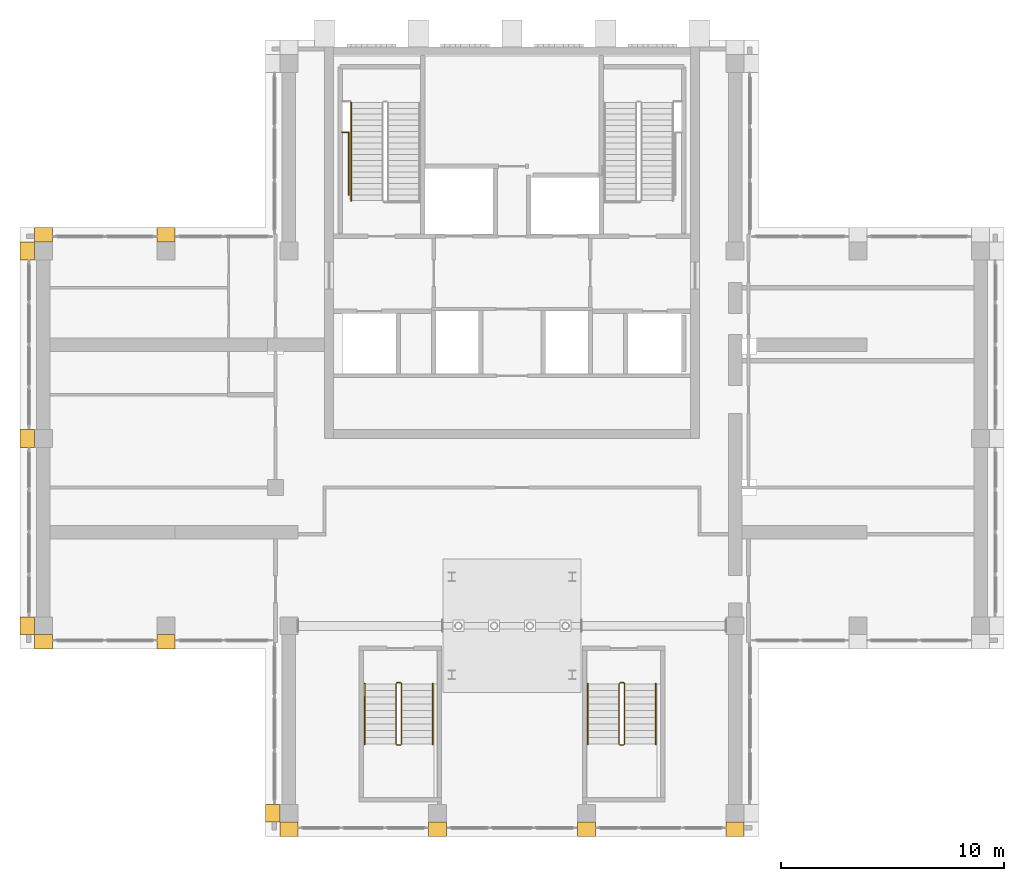
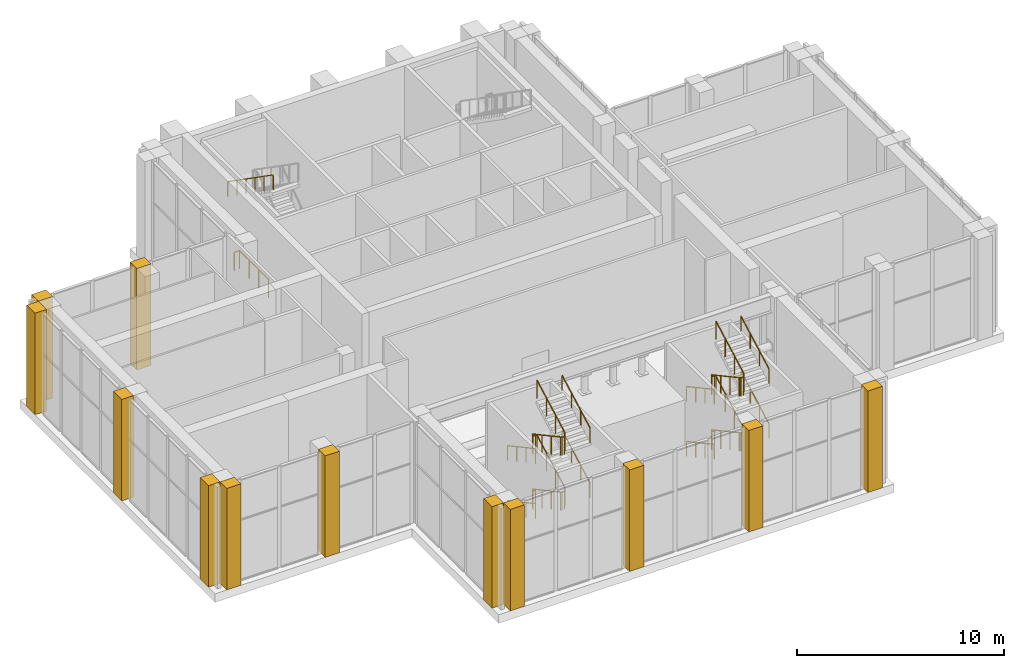
# One storey, part 12 of 14: 12 coverings, 12 railings.
"""IFC4 building model written with IfcOpenShell, lengths in metres."""

from ifc_helpers import new_model, si_unit, direction, frame, origin, origin_2d, place, context, subcontext, project, spatial, polyline, rectangle, outline, extrude, material, type_object, element, save


model = new_model("IFC4")

# Units and contexts
model_context = context("Model", 3, precision=1e-05, world=origin(), true_north=direction((0.0, 1.0)))
body_context = subcontext(model_context, "Body", "Model", "MODEL_VIEW")
ifc_project = project(units=[si_unit("LENGTHUNIT", "METRE"), si_unit("AREAUNIT", "SQUARE_METRE"), si_unit("VOLUMEUNIT", "CUBIC_METRE"), si_unit("PLANEANGLEUNIT", "RADIAN"), si_unit("MASSUNIT", "GRAM", prefix="KILO")], contexts=[model_context])

# Site, building, storey
site_placement = place(None, origin())
site = spatial("IfcSite", under=ifc_project, at=site_placement, CompositionType="ELEMENT")
building_placement = place(site_placement, origin())
building = spatial("IfcBuilding", under=site, at=building_placement, Name="Vermilion Ogive Tower", CompositionType="ELEMENT")
storey_placement = place(building_placement, frame((0.0, 0.0, 278.35009765625)))
storey = spatial("IfcBuildingStorey", under=building, at=storey_placement, Name="L73", CompositionType="ELEMENT", Elevation=278.35009765625)

# Railings
ifc_material_1 = material(Name="Steel S355 painted", Category="steel")
railing_type_1 = type_object("IfcRailingType", Name="Stair guard 1100", PredefinedType="GUARDRAIL", material=ifc_material_1)
railing_1_placement = place(storey_placement, frame((5.0, -6.75, 0.0)))
element("IfcRailing", 1, at=railing_1_placement, inside=storey, type_object=railing_type_1, Name="L73 ST6 stair guard 8", PredefinedType="GUARDRAIL", context=body_context, shape_type="SweptSolid", body=[
    extrude(rectangle(XDim=0.048095703125, YDim=0.048095703125, at=origin_2d()), frame((0.0, 0.0, 1.076171875), z_axis=(-1.0, 0.0, 0.0), x_axis=(0.0, -1.0, 0.0)), (0.0, 0.0, 1.0), 0.14990234375),
    extrude(rectangle(XDim=0.048095703125, YDim=0.048095703125, at=origin_2d()), frame((-0.14990234375, 0.0, 1.076171875), z_axis=(-0.282583949758, -0.282583949758, 0.916674763849), x_axis=(0.707106781187, -0.707106781187, 0.0)), (0.0, 0.0, 1.0), 0.177001953125),
    extrude(rectangle(XDim=0.048095703125, YDim=0.048095703125, at=origin_2d()), frame((-0.199951171875, -0.050048828125, 1.23828125), z_axis=(0.0, -0.879268380148, 0.476326690069), x_axis=(1.0, 0.0, 0.0)), (0.0, 0.0, 1.0), 3.07080078125),
    extrude(rectangle(XDim=0.048095703125, YDim=0.048095703125, at=origin_2d()), frame((-0.199951171875, -2.75, 2.701171875), z_axis=(0.707106781187, -0.707106781187, 0.0), x_axis=(0.707106781187, 0.707106781187, 0.0)), (0.0, 0.0, 1.0), 0.07080078125),
    extrude(rectangle(XDim=0.048095703125, YDim=0.048095703125, at=origin_2d()), frame((-0.14990234375, -2.800048828125, 2.701171875), z_axis=(1.0, 0.0, 0.0), x_axis=(0.0, 1.0, 0.0)), (0.0, 0.0, 1.0), 0.14990234375),
    extrude(rectangle(XDim=0.048095703125, YDim=0.048095703125, at=origin_2d()), frame((0.0, -2.800048828125, 2.701171875), z_axis=(0.282583949758, 0.282583949758, 0.916674763849), x_axis=(-0.707106781187, 0.707106781187, 0.0)), (0.0, 0.0, 1.0), 0.177001953125),
    extrude(rectangle(XDim=0.048095703125, YDim=0.048095703125, at=origin_2d()), frame((0.050048828125, -2.75, 2.86328125), z_axis=(0.0, 0.879268380148, 0.476326690069), x_axis=(-1.0, 0.0, 0.0)), (0.0, 0.0, 1.0), 3.07080078125),
    extrude(rectangle(XDim=0.048095703125, YDim=0.048095703125, at=origin_2d()), frame((0.050048828125, -0.050048828125, 4.326171875), z_axis=(-0.707106781187, 0.707106781187, 0.0), x_axis=(-0.707106781187, -0.707106781187, 0.0)), (0.0, 0.0, 1.0), 0.07080078125),
    extrude(rectangle(XDim=0.048095703125, YDim=0.048095703125, at=origin_2d()), frame((0.0, 0.0, 4.326171875), z_axis=(-1.0, 0.0, 0.0), x_axis=(0.0, -1.0, 0.0)), (0.0, 0.0, 1.0), 0.14990234375),
    extrude(rectangle(XDim=0.048095703125, YDim=0.048095703125, at=origin_2d()), frame((-0.14990234375, 0.0, 4.326171875), z_axis=(-0.282583949758, -0.282583949758, 0.916674763849), x_axis=(0.707106781187, -0.707106781187, 0.0)), (0.0, 0.0, 1.0), 0.177001953125),
    extrude(rectangle(XDim=0.048095703125, YDim=0.048095703125, at=origin_2d()), frame((-0.199951171875, -0.050048828125, 4.48828125), z_axis=(0.0, -0.879268380148, 0.476326690069), x_axis=(1.0, 0.0, 0.0)), (0.0, 0.0, 1.0), 3.07080078125),
    extrude(rectangle(XDim=0.048095703125, YDim=0.048095703125, at=origin_2d()), frame((-0.199951171875, -2.75, 5.951171875), z_axis=(0.707106781187, -0.707106781187, 0.0), x_axis=(0.707106781187, 0.707106781187, 0.0)), (0.0, 0.0, 1.0), 0.07080078125),
    extrude(rectangle(XDim=0.048095703125, YDim=0.048095703125, at=origin_2d()), frame((-0.14990234375, -2.800048828125, 5.951171875), z_axis=(1.0, 0.0, 0.0), x_axis=(0.0, 1.0, 0.0)), (0.0, 0.0, 1.0), 0.14990234375),
    extrude(rectangle(XDim=0.048095703125, YDim=0.048095703125, at=origin_2d()), frame((0.0, -2.800048828125, 5.951171875), z_axis=(0.282583949758, 0.282583949758, 0.916674763849), x_axis=(-0.707106781187, 0.707106781187, 0.0)), (0.0, 0.0, 1.0), 0.177001953125),
    extrude(rectangle(XDim=0.048095703125, YDim=0.048095703125, at=origin_2d()), frame((0.050048828125, -2.75, 6.11328125), z_axis=(0.0, 0.879268380148, 0.476326690069), x_axis=(-1.0, 0.0, 0.0)), (0.0, 0.0, 1.0), 3.07080078125),
    extrude(rectangle(XDim=0.0419921875, YDim=0.0419921875, at=origin_2d()), origin(), (0.0, 0.0, 1.0), 1.052001953125),
    extrude(rectangle(XDim=0.0419921875, YDim=0.0419921875, at=origin_2d()), frame((-0.14990234375, 0.0, 0.0)), (0.0, 0.0, 1.0), 1.052001953125),
    extrude(rectangle(XDim=0.0419921875, YDim=0.0419921875, at=origin_2d()), frame((-0.199951171875, -0.050048828125, 0.162353515625)), (0.0, 0.0, 1.0), 1.052001953125),
    extrude(rectangle(XDim=0.0419921875, YDim=0.0419921875, at=origin_2d()), frame((-0.199951171875, -0.949951171875, 0.64990234375)), (0.0, 0.0, 1.0), 1.052001953125),
    extrude(rectangle(XDim=0.0419921875, YDim=0.0419921875, at=origin_2d()), frame((-0.199951171875, -1.85009765625, 1.137451171875)), (0.0, 0.0, 1.0), 1.052001953125),
    extrude(rectangle(XDim=0.0419921875, YDim=0.0419921875, at=origin_2d()), frame((-0.199951171875, -2.75, 1.625)), (0.0, 0.0, 1.0), 1.052001953125),
    extrude(rectangle(XDim=0.0419921875, YDim=0.0419921875, at=origin_2d()), frame((-0.14990234375, -2.800048828125, 1.625)), (0.0, 0.0, 1.0), 1.052001953125),
    extrude(rectangle(XDim=0.0419921875, YDim=0.0419921875, at=origin_2d()), frame((0.0, -2.800048828125, 1.625)), (0.0, 0.0, 1.0), 1.052001953125),
    extrude(rectangle(XDim=0.0419921875, YDim=0.0419921875, at=origin_2d()), frame((0.050048828125, -2.75, 1.787353515625)), (0.0, 0.0, 1.0), 1.052001953125),
    extrude(rectangle(XDim=0.0419921875, YDim=0.0419921875, at=origin_2d()), frame((0.050048828125, -1.85009765625, 2.27490234375)), (0.0, 0.0, 1.0), 1.052001953125),
    extrude(rectangle(XDim=0.0419921875, YDim=0.0419921875, at=origin_2d()), frame((0.050048828125, -0.949951171875, 2.762451171875)), (0.0, 0.0, 1.0), 1.052001953125),
    extrude(rectangle(XDim=0.0419921875, YDim=0.0419921875, at=origin_2d()), frame((0.050048828125, -0.050048828125, 3.25)), (0.0, 0.0, 1.0), 1.052001953125),
    extrude(rectangle(XDim=0.0419921875, YDim=0.0419921875, at=origin_2d()), frame((0.0, 0.0, 3.25)), (0.0, 0.0, 1.0), 1.052001953125),
    extrude(rectangle(XDim=0.0419921875, YDim=0.0419921875, at=origin_2d()), frame((-0.14990234375, 0.0, 3.25)), (0.0, 0.0, 1.0), 1.052001953125),
    extrude(rectangle(XDim=0.0419921875, YDim=0.0419921875, at=origin_2d()), frame((-0.199951171875, -0.050048828125, 3.412353515625)), (0.0, 0.0, 1.0), 1.052001953125),
    extrude(rectangle(XDim=0.0419921875, YDim=0.0419921875, at=origin_2d()), frame((-0.199951171875, -0.949951171875, 3.89990234375)), (0.0, 0.0, 1.0), 1.052001953125),
    extrude(rectangle(XDim=0.0419921875, YDim=0.0419921875, at=origin_2d()), frame((-0.199951171875, -1.85009765625, 4.387451171875)), (0.0, 0.0, 1.0), 1.052001953125),
    extrude(rectangle(XDim=0.0419921875, YDim=0.0419921875, at=origin_2d()), frame((-0.199951171875, -2.75, 4.875)), (0.0, 0.0, 1.0), 1.052001953125),
    extrude(rectangle(XDim=0.0419921875, YDim=0.0419921875, at=origin_2d()), frame((-0.14990234375, -2.800048828125, 4.875)), (0.0, 0.0, 1.0), 1.052001953125),
    extrude(rectangle(XDim=0.0419921875, YDim=0.0419921875, at=origin_2d()), frame((0.0, -2.800048828125, 4.875)), (0.0, 0.0, 1.0), 1.052001953125),
    extrude(rectangle(XDim=0.0419921875, YDim=0.0419921875, at=origin_2d()), frame((0.050048828125, -2.75, 5.037353515625)), (0.0, 0.0, 1.0), 1.052001953125),
    extrude(rectangle(XDim=0.0419921875, YDim=0.0419921875, at=origin_2d()), frame((0.050048828125, -1.85009765625, 5.52490234375)), (0.0, 0.0, 1.0), 1.052001953125),
    extrude(rectangle(XDim=0.0419921875, YDim=0.0419921875, at=origin_2d()), frame((0.050048828125, -0.949951171875, 6.012451171875)), (0.0, 0.0, 1.0), 1.052001953125),
    extrude(rectangle(XDim=0.0419921875, YDim=0.0419921875, at=origin_2d()), frame((0.050048828125, -0.050048828125, 6.5)), (0.0, 0.0, 1.0), 1.052001953125),
])
railing_2_placement = place(storey_placement, frame((-5.0, -6.75, 0.0)))
element("IfcRailing", 2, at=railing_2_placement, inside=storey, type_object=railing_type_1, Name="L73 ST7 stair guard 8", PredefinedType="GUARDRAIL", context=body_context, shape_type="SweptSolid", body=[
    extrude(rectangle(XDim=0.048095703125, YDim=0.048095703125, at=origin_2d()), frame((0.0, 0.0, 1.076171875), z_axis=(-1.0, 0.0, 0.0), x_axis=(0.0, -1.0, 0.0)), (0.0, 0.0, 1.0), 0.14990234375),
    extrude(rectangle(XDim=0.048095703125, YDim=0.048095703125, at=origin_2d()), frame((-0.14990234375, 0.0, 1.076171875), z_axis=(-0.282583949758, -0.282583949758, 0.916674763849), x_axis=(0.707106781187, -0.707106781187, 0.0)), (0.0, 0.0, 1.0), 0.177001953125),
    extrude(rectangle(XDim=0.048095703125, YDim=0.048095703125, at=origin_2d()), frame((-0.199951171875, -0.050048828125, 1.23828125), z_axis=(0.0, -0.879268380148, 0.476326690069), x_axis=(1.0, 0.0, 0.0)), (0.0, 0.0, 1.0), 3.07080078125),
    extrude(rectangle(XDim=0.048095703125, YDim=0.048095703125, at=origin_2d()), frame((-0.199951171875, -2.75, 2.701171875), z_axis=(0.707106781187, -0.707106781187, 0.0), x_axis=(0.707106781187, 0.707106781187, 0.0)), (0.0, 0.0, 1.0), 0.07080078125),
    extrude(rectangle(XDim=0.048095703125, YDim=0.048095703125, at=origin_2d()), frame((-0.14990234375, -2.800048828125, 2.701171875), z_axis=(1.0, 0.0, 0.0), x_axis=(0.0, 1.0, 0.0)), (0.0, 0.0, 1.0), 0.14990234375),
    extrude(rectangle(XDim=0.048095703125, YDim=0.048095703125, at=origin_2d()), frame((0.0, -2.800048828125, 2.701171875), z_axis=(0.282583949758, 0.282583949758, 0.916674763849), x_axis=(-0.707106781187, 0.707106781187, 0.0)), (0.0, 0.0, 1.0), 0.177001953125),
    extrude(rectangle(XDim=0.048095703125, YDim=0.048095703125, at=origin_2d()), frame((0.050048828125, -2.75, 2.86328125), z_axis=(0.0, 0.879268380148, 0.476326690069), x_axis=(-1.0, 0.0, 0.0)), (0.0, 0.0, 1.0), 3.07080078125),
    extrude(rectangle(XDim=0.048095703125, YDim=0.048095703125, at=origin_2d()), frame((0.050048828125, -0.050048828125, 4.326171875), z_axis=(-0.707106781187, 0.707106781187, 0.0), x_axis=(-0.707106781187, -0.707106781187, 0.0)), (0.0, 0.0, 1.0), 0.07080078125),
    extrude(rectangle(XDim=0.048095703125, YDim=0.048095703125, at=origin_2d()), frame((0.0, 0.0, 4.326171875), z_axis=(-1.0, 0.0, 0.0), x_axis=(0.0, -1.0, 0.0)), (0.0, 0.0, 1.0), 0.14990234375),
    extrude(rectangle(XDim=0.048095703125, YDim=0.048095703125, at=origin_2d()), frame((-0.14990234375, 0.0, 4.326171875), z_axis=(-0.282583949758, -0.282583949758, 0.916674763849), x_axis=(0.707106781187, -0.707106781187, 0.0)), (0.0, 0.0, 1.0), 0.177001953125),
    extrude(rectangle(XDim=0.048095703125, YDim=0.048095703125, at=origin_2d()), frame((-0.199951171875, -0.050048828125, 4.48828125), z_axis=(0.0, -0.879268380148, 0.476326690069), x_axis=(1.0, 0.0, 0.0)), (0.0, 0.0, 1.0), 3.07080078125),
    extrude(rectangle(XDim=0.048095703125, YDim=0.048095703125, at=origin_2d()), frame((-0.199951171875, -2.75, 5.951171875), z_axis=(0.707106781187, -0.707106781187, 0.0), x_axis=(0.707106781187, 0.707106781187, 0.0)), (0.0, 0.0, 1.0), 0.07080078125),
    extrude(rectangle(XDim=0.048095703125, YDim=0.048095703125, at=origin_2d()), frame((-0.14990234375, -2.800048828125, 5.951171875), z_axis=(1.0, 0.0, 0.0), x_axis=(0.0, 1.0, 0.0)), (0.0, 0.0, 1.0), 0.14990234375),
    extrude(rectangle(XDim=0.048095703125, YDim=0.048095703125, at=origin_2d()), frame((0.0, -2.800048828125, 5.951171875), z_axis=(0.282583949758, 0.282583949758, 0.916674763849), x_axis=(-0.707106781187, 0.707106781187, 0.0)), (0.0, 0.0, 1.0), 0.177001953125),
    extrude(rectangle(XDim=0.048095703125, YDim=0.048095703125, at=origin_2d()), frame((0.050048828125, -2.75, 6.11328125), z_axis=(0.0, 0.879268380148, 0.476326690069), x_axis=(-1.0, 0.0, 0.0)), (0.0, 0.0, 1.0), 3.07080078125),
    extrude(rectangle(XDim=0.0419921875, YDim=0.0419921875, at=origin_2d()), origin(), (0.0, 0.0, 1.0), 1.052001953125),
    extrude(rectangle(XDim=0.0419921875, YDim=0.0419921875, at=origin_2d()), frame((-0.14990234375, 0.0, 0.0)), (0.0, 0.0, 1.0), 1.052001953125),
    extrude(rectangle(XDim=0.0419921875, YDim=0.0419921875, at=origin_2d()), frame((-0.199951171875, -0.050048828125, 0.162353515625)), (0.0, 0.0, 1.0), 1.052001953125),
    extrude(rectangle(XDim=0.0419921875, YDim=0.0419921875, at=origin_2d()), frame((-0.199951171875, -0.949951171875, 0.64990234375)), (0.0, 0.0, 1.0), 1.052001953125),
    extrude(rectangle(XDim=0.0419921875, YDim=0.0419921875, at=origin_2d()), frame((-0.199951171875, -1.85009765625, 1.137451171875)), (0.0, 0.0, 1.0), 1.052001953125),
    extrude(rectangle(XDim=0.0419921875, YDim=0.0419921875, at=origin_2d()), frame((-0.199951171875, -2.75, 1.625)), (0.0, 0.0, 1.0), 1.052001953125),
    extrude(rectangle(XDim=0.0419921875, YDim=0.0419921875, at=origin_2d()), frame((-0.14990234375, -2.800048828125, 1.625)), (0.0, 0.0, 1.0), 1.052001953125),
    extrude(rectangle(XDim=0.0419921875, YDim=0.0419921875, at=origin_2d()), frame((0.0, -2.800048828125, 1.625)), (0.0, 0.0, 1.0), 1.052001953125),
    extrude(rectangle(XDim=0.0419921875, YDim=0.0419921875, at=origin_2d()), frame((0.050048828125, -2.75, 1.787353515625)), (0.0, 0.0, 1.0), 1.052001953125),
    extrude(rectangle(XDim=0.0419921875, YDim=0.0419921875, at=origin_2d()), frame((0.050048828125, -1.85009765625, 2.27490234375)), (0.0, 0.0, 1.0), 1.052001953125),
    extrude(rectangle(XDim=0.0419921875, YDim=0.0419921875, at=origin_2d()), frame((0.050048828125, -0.949951171875, 2.762451171875)), (0.0, 0.0, 1.0), 1.052001953125),
    extrude(rectangle(XDim=0.0419921875, YDim=0.0419921875, at=origin_2d()), frame((0.050048828125, -0.050048828125, 3.25)), (0.0, 0.0, 1.0), 1.052001953125),
    extrude(rectangle(XDim=0.0419921875, YDim=0.0419921875, at=origin_2d()), frame((0.0, 0.0, 3.25)), (0.0, 0.0, 1.0), 1.052001953125),
    extrude(rectangle(XDim=0.0419921875, YDim=0.0419921875, at=origin_2d()), frame((-0.14990234375, 0.0, 3.25)), (0.0, 0.0, 1.0), 1.052001953125),
    extrude(rectangle(XDim=0.0419921875, YDim=0.0419921875, at=origin_2d()), frame((-0.199951171875, -0.050048828125, 3.412353515625)), (0.0, 0.0, 1.0), 1.052001953125),
    extrude(rectangle(XDim=0.0419921875, YDim=0.0419921875, at=origin_2d()), frame((-0.199951171875, -0.949951171875, 3.89990234375)), (0.0, 0.0, 1.0), 1.052001953125),
    extrude(rectangle(XDim=0.0419921875, YDim=0.0419921875, at=origin_2d()), frame((-0.199951171875, -1.85009765625, 4.387451171875)), (0.0, 0.0, 1.0), 1.052001953125),
    extrude(rectangle(XDim=0.0419921875, YDim=0.0419921875, at=origin_2d()), frame((-0.199951171875, -2.75, 4.875)), (0.0, 0.0, 1.0), 1.052001953125),
    extrude(rectangle(XDim=0.0419921875, YDim=0.0419921875, at=origin_2d()), frame((-0.14990234375, -2.800048828125, 4.875)), (0.0, 0.0, 1.0), 1.052001953125),
    extrude(rectangle(XDim=0.0419921875, YDim=0.0419921875, at=origin_2d()), frame((0.0, -2.800048828125, 4.875)), (0.0, 0.0, 1.0), 1.052001953125),
    extrude(rectangle(XDim=0.0419921875, YDim=0.0419921875, at=origin_2d()), frame((0.050048828125, -2.75, 5.037353515625)), (0.0, 0.0, 1.0), 1.052001953125),
    extrude(rectangle(XDim=0.0419921875, YDim=0.0419921875, at=origin_2d()), frame((0.050048828125, -1.85009765625, 5.52490234375)), (0.0, 0.0, 1.0), 1.052001953125),
    extrude(rectangle(XDim=0.0419921875, YDim=0.0419921875, at=origin_2d()), frame((0.050048828125, -0.949951171875, 6.012451171875)), (0.0, 0.0, 1.0), 1.052001953125),
    extrude(rectangle(XDim=0.0419921875, YDim=0.0419921875, at=origin_2d()), frame((0.050048828125, -0.050048828125, 6.5)), (0.0, 0.0, 1.0), 1.052001953125),
])
railing_3_placement = place(storey_placement, frame((-7.309814453125, 15.119384765625, 0.0)))
element("IfcRailing", 3, at=railing_3_placement, inside=storey, type_object=railing_type_1, Name="L73 stair opening guard", PredefinedType="GUARDRAIL", context=body_context, shape_type="SweptSolid", body=[
    extrude(rectangle(XDim=0.048095703125, YDim=0.048095703125, at=origin_2d()), frame((0.0, 0.0, 1.076171875), z_axis=(0.0, 1.0, 0.0), x_axis=(-1.0, 0.0, 0.0)), (0.0, 0.0, 1.0), 2.804443359375),
    extrude(rectangle(XDim=0.048095703125, YDim=0.048095703125, at=origin_2d()), frame((0.0, 2.804443359375, 1.076171875), z_axis=(-1.0, 0.0, 0.0), x_axis=(0.0, -1.0, 0.0)), (0.0, 0.0, 1.0), 0.289794921875),
    extrude(rectangle(XDim=0.0419921875, YDim=0.0419921875, at=origin_2d()), origin(), (0.0, 0.0, 1.0), 1.052001953125),
    extrude(rectangle(XDim=0.0419921875, YDim=0.0419921875, at=origin_2d()), frame((0.0, 0.934814453125, 0.0)), (0.0, 0.0, 1.0), 1.052001953125),
    extrude(rectangle(XDim=0.0419921875, YDim=0.0419921875, at=origin_2d()), frame((0.0, 1.86962890625, 0.0)), (0.0, 0.0, 1.0), 1.052001953125),
    extrude(rectangle(XDim=0.0419921875, YDim=0.0419921875, at=origin_2d()), frame((0.0, 2.804443359375, 0.0)), (0.0, 0.0, 1.0), 1.052001953125),
    extrude(rectangle(XDim=0.0419921875, YDim=0.0419921875, at=origin_2d()), frame((-0.289794921875, 2.804443359375, 0.0)), (0.0, 0.0, 1.0), 1.052001953125),
])
ifc_material_2 = material(Name="Stainless steel", Category="steel")
railing_type_2 = type_object("IfcRailingType", Name="Stair handrail 900", PredefinedType="HANDRAIL", material=ifc_material_2)
railing_4_placement = place(storey_placement, frame((-7.199951171875, 19.25, 3.430419921875)))
element("IfcRailing", 4, at=railing_4_placement, inside=storey, type_object=railing_type_2, Name="L73 ST1 stair handrail 2", PredefinedType="HANDRAIL", context=body_context, shape_type="SweptSolid", body=[
    extrude(rectangle(XDim=0.048095703125, YDim=0.048095703125, at=origin_2d()), frame((0.0, 0.0, 0.8759765625), z_axis=(0.0, -0.820137383327, 0.572166647463), x_axis=(1.0, 0.0, 0.0)), (0.0, 0.0, 1.0), 5.36474609375),
    extrude(rectangle(XDim=0.0419921875, YDim=0.0419921875, at=origin_2d()), origin(), (0.0, 0.0, 1.0), 0.851806640625),
    extrude(rectangle(XDim=0.0419921875, YDim=0.0419921875, at=origin_2d()), frame((0.0, -0.8798828125, 0.614013671875)), (0.0, 0.0, 1.0), 0.851806640625),
    extrude(rectangle(XDim=0.0419921875, YDim=0.0419921875, at=origin_2d()), frame((0.0, -1.760009765625, 1.227783203125)), (0.0, 0.0, 1.0), 0.851806640625),
    extrude(rectangle(XDim=0.0419921875, YDim=0.0419921875, at=origin_2d()), frame((0.0, -2.639892578125, 1.841796875)), (0.0, 0.0, 1.0), 0.851806640625),
    extrude(rectangle(XDim=0.0419921875, YDim=0.0419921875, at=origin_2d()), frame((0.0, -3.52001953125, 2.45556640625)), (0.0, 0.0, 1.0), 0.851806640625),
    extrude(rectangle(XDim=0.0419921875, YDim=0.0419921875, at=origin_2d()), frame((0.0, -4.39990234375, 3.069580078125)), (0.0, 0.0, 1.0), 0.851806640625),
])
railing_5_placement = place(storey_placement, frame((3.39990234375, -6.800048828125, 0.162353515625)))
element("IfcRailing", 5, at=railing_5_placement, inside=storey, type_object=railing_type_2, Name="L73 ST6 stair handrail 1", PredefinedType="HANDRAIL", context=body_context, shape_type="SweptSolid", body=[
    extrude(rectangle(XDim=0.048095703125, YDim=0.048095703125, at=origin_2d()), frame((0.0, 0.0, 0.8759765625), z_axis=(0.0, -0.879268380148, 0.476326690069), x_axis=(1.0, 0.0, 0.0)), (0.0, 0.0, 1.0), 3.07080078125),
    extrude(rectangle(XDim=0.0419921875, YDim=0.0419921875, at=origin_2d()), origin(), (0.0, 0.0, 1.0), 0.851806640625),
    extrude(rectangle(XDim=0.0419921875, YDim=0.0419921875, at=origin_2d()), frame((0.0, -0.89990234375, 0.487548828125)), (0.0, 0.0, 1.0), 0.851806640625),
    extrude(rectangle(XDim=0.0419921875, YDim=0.0419921875, at=origin_2d()), frame((0.0, -1.800048828125, 0.97509765625)), (0.0, 0.0, 1.0), 0.851806640625),
    extrude(rectangle(XDim=0.0419921875, YDim=0.0419921875, at=origin_2d()), frame((0.0, -2.699951171875, 1.462646484375)), (0.0, 0.0, 1.0), 0.851806640625),
])
railing_6_placement = place(storey_placement, frame((6.449951171875, -9.5, 1.787353515625)))
element("IfcRailing", 6, at=railing_6_placement, inside=storey, type_object=railing_type_2, Name="L73 ST6 stair handrail 2", PredefinedType="HANDRAIL", context=body_context, shape_type="SweptSolid", body=[
    extrude(rectangle(XDim=0.048095703125, YDim=0.048095703125, at=origin_2d()), frame((0.0, 0.0, 0.8759765625), z_axis=(0.0, 0.879268380148, 0.476326690069), x_axis=(-1.0, 0.0, 0.0)), (0.0, 0.0, 1.0), 3.07080078125),
    extrude(rectangle(XDim=0.0419921875, YDim=0.0419921875, at=origin_2d()), origin(), (0.0, 0.0, 1.0), 0.851806640625),
    extrude(rectangle(XDim=0.0419921875, YDim=0.0419921875, at=origin_2d()), frame((0.0, 0.89990234375, 0.487548828125)), (0.0, 0.0, 1.0), 0.851806640625),
    extrude(rectangle(XDim=0.0419921875, YDim=0.0419921875, at=origin_2d()), frame((0.0, 1.800048828125, 0.97509765625)), (0.0, 0.0, 1.0), 0.851806640625),
    extrude(rectangle(XDim=0.0419921875, YDim=0.0419921875, at=origin_2d()), frame((0.0, 2.699951171875, 1.462646484375)), (0.0, 0.0, 1.0), 0.851806640625),
])
railing_7_placement = place(storey_placement, frame((3.39990234375, -6.800048828125, 3.412353515625)))
element("IfcRailing", 7, at=railing_7_placement, inside=storey, type_object=railing_type_2, Name="L73 ST6 stair handrail 3", PredefinedType="HANDRAIL", context=body_context, shape_type="SweptSolid", body=[
    extrude(rectangle(XDim=0.048095703125, YDim=0.048095703125, at=origin_2d()), frame((0.0, 0.0, 0.8759765625), z_axis=(0.0, -0.879268380148, 0.476326690069), x_axis=(1.0, 0.0, 0.0)), (0.0, 0.0, 1.0), 3.07080078125),
    extrude(rectangle(XDim=0.0419921875, YDim=0.0419921875, at=origin_2d()), origin(), (0.0, 0.0, 1.0), 0.851806640625),
    extrude(rectangle(XDim=0.0419921875, YDim=0.0419921875, at=origin_2d()), frame((0.0, -0.89990234375, 0.487548828125)), (0.0, 0.0, 1.0), 0.851806640625),
    extrude(rectangle(XDim=0.0419921875, YDim=0.0419921875, at=origin_2d()), frame((0.0, -1.800048828125, 0.97509765625)), (0.0, 0.0, 1.0), 0.851806640625),
    extrude(rectangle(XDim=0.0419921875, YDim=0.0419921875, at=origin_2d()), frame((0.0, -2.699951171875, 1.462646484375)), (0.0, 0.0, 1.0), 0.851806640625),
])
railing_8_placement = place(storey_placement, frame((6.449951171875, -9.5, 5.037353515625)))
element("IfcRailing", 8, at=railing_8_placement, inside=storey, type_object=railing_type_2, Name="L73 ST6 stair handrail 4", PredefinedType="HANDRAIL", context=body_context, shape_type="SweptSolid", body=[
    extrude(rectangle(XDim=0.048095703125, YDim=0.048095703125, at=origin_2d()), frame((0.0, 0.0, 0.8759765625), z_axis=(0.0, 0.879268380148, 0.476326690069), x_axis=(-1.0, 0.0, 0.0)), (0.0, 0.0, 1.0), 3.07080078125),
    extrude(rectangle(XDim=0.0419921875, YDim=0.0419921875, at=origin_2d()), origin(), (0.0, 0.0, 1.0), 0.851806640625),
    extrude(rectangle(XDim=0.0419921875, YDim=0.0419921875, at=origin_2d()), frame((0.0, 0.89990234375, 0.487548828125)), (0.0, 0.0, 1.0), 0.851806640625),
    extrude(rectangle(XDim=0.0419921875, YDim=0.0419921875, at=origin_2d()), frame((0.0, 1.800048828125, 0.97509765625)), (0.0, 0.0, 1.0), 0.851806640625),
    extrude(rectangle(XDim=0.0419921875, YDim=0.0419921875, at=origin_2d()), frame((0.0, 2.699951171875, 1.462646484375)), (0.0, 0.0, 1.0), 0.851806640625),
])
railing_9_placement = place(storey_placement, frame((-6.60009765625, -6.800048828125, 0.162353515625)))
element("IfcRailing", 9, at=railing_9_placement, inside=storey, type_object=railing_type_2, Name="L73 ST7 stair handrail 1", PredefinedType="HANDRAIL", context=body_context, shape_type="SweptSolid", body=[
    extrude(rectangle(XDim=0.048095703125, YDim=0.048095703125, at=origin_2d()), frame((0.0, 0.0, 0.8759765625), z_axis=(0.0, -0.879268380148, 0.476326690069), x_axis=(1.0, 0.0, 0.0)), (0.0, 0.0, 1.0), 3.07080078125),
    extrude(rectangle(XDim=0.0419921875, YDim=0.0419921875, at=origin_2d()), origin(), (0.0, 0.0, 1.0), 0.851806640625),
    extrude(rectangle(XDim=0.0419921875, YDim=0.0419921875, at=origin_2d()), frame((0.0, -0.89990234375, 0.487548828125)), (0.0, 0.0, 1.0), 0.851806640625),
    extrude(rectangle(XDim=0.0419921875, YDim=0.0419921875, at=origin_2d()), frame((0.0, -1.800048828125, 0.97509765625)), (0.0, 0.0, 1.0), 0.851806640625),
    extrude(rectangle(XDim=0.0419921875, YDim=0.0419921875, at=origin_2d()), frame((0.0, -2.699951171875, 1.462646484375)), (0.0, 0.0, 1.0), 0.851806640625),
])
railing_10_placement = place(storey_placement, frame((-3.550048828125, -9.5, 1.787353515625)))
element("IfcRailing", 10, at=railing_10_placement, inside=storey, type_object=railing_type_2, Name="L73 ST7 stair handrail 2", PredefinedType="HANDRAIL", context=body_context, shape_type="SweptSolid", body=[
    extrude(rectangle(XDim=0.048095703125, YDim=0.048095703125, at=origin_2d()), frame((0.0, 0.0, 0.8759765625), z_axis=(0.0, 0.879268380148, 0.476326690069), x_axis=(-1.0, 0.0, 0.0)), (0.0, 0.0, 1.0), 3.07080078125),
    extrude(rectangle(XDim=0.0419921875, YDim=0.0419921875, at=origin_2d()), origin(), (0.0, 0.0, 1.0), 0.851806640625),
    extrude(rectangle(XDim=0.0419921875, YDim=0.0419921875, at=origin_2d()), frame((0.0, 0.89990234375, 0.487548828125)), (0.0, 0.0, 1.0), 0.851806640625),
    extrude(rectangle(XDim=0.0419921875, YDim=0.0419921875, at=origin_2d()), frame((0.0, 1.800048828125, 0.97509765625)), (0.0, 0.0, 1.0), 0.851806640625),
    extrude(rectangle(XDim=0.0419921875, YDim=0.0419921875, at=origin_2d()), frame((0.0, 2.699951171875, 1.462646484375)), (0.0, 0.0, 1.0), 0.851806640625),
])
railing_11_placement = place(storey_placement, frame((-6.60009765625, -6.800048828125, 3.412353515625)))
element("IfcRailing", 11, at=railing_11_placement, inside=storey, type_object=railing_type_2, Name="L73 ST7 stair handrail 3", PredefinedType="HANDRAIL", context=body_context, shape_type="SweptSolid", body=[
    extrude(rectangle(XDim=0.048095703125, YDim=0.048095703125, at=origin_2d()), frame((0.0, 0.0, 0.8759765625), z_axis=(0.0, -0.879268380148, 0.476326690069), x_axis=(1.0, 0.0, 0.0)), (0.0, 0.0, 1.0), 3.07080078125),
    extrude(rectangle(XDim=0.0419921875, YDim=0.0419921875, at=origin_2d()), origin(), (0.0, 0.0, 1.0), 0.851806640625),
    extrude(rectangle(XDim=0.0419921875, YDim=0.0419921875, at=origin_2d()), frame((0.0, -0.89990234375, 0.487548828125)), (0.0, 0.0, 1.0), 0.851806640625),
    extrude(rectangle(XDim=0.0419921875, YDim=0.0419921875, at=origin_2d()), frame((0.0, -1.800048828125, 0.97509765625)), (0.0, 0.0, 1.0), 0.851806640625),
    extrude(rectangle(XDim=0.0419921875, YDim=0.0419921875, at=origin_2d()), frame((0.0, -2.699951171875, 1.462646484375)), (0.0, 0.0, 1.0), 0.851806640625),
])
railing_12_placement = place(storey_placement, frame((-3.550048828125, -9.5, 5.037353515625)))
element("IfcRailing", 12, at=railing_12_placement, inside=storey, type_object=railing_type_2, Name="L73 ST7 stair handrail 4", PredefinedType="HANDRAIL", context=body_context, shape_type="SweptSolid", body=[
    extrude(rectangle(XDim=0.048095703125, YDim=0.048095703125, at=origin_2d()), frame((0.0, 0.0, 0.8759765625), z_axis=(0.0, 0.879268380148, 0.476326690069), x_axis=(-1.0, 0.0, 0.0)), (0.0, 0.0, 1.0), 3.07080078125),
    extrude(rectangle(XDim=0.0419921875, YDim=0.0419921875, at=origin_2d()), origin(), (0.0, 0.0, 1.0), 0.851806640625),
    extrude(rectangle(XDim=0.0419921875, YDim=0.0419921875, at=origin_2d()), frame((0.0, 0.89990234375, 0.487548828125)), (0.0, 0.0, 1.0), 0.851806640625),
    extrude(rectangle(XDim=0.0419921875, YDim=0.0419921875, at=origin_2d()), frame((0.0, 1.800048828125, 0.97509765625)), (0.0, 0.0, 1.0), 0.851806640625),
    extrude(rectangle(XDim=0.0419921875, YDim=0.0419921875, at=origin_2d()), frame((0.0, 2.699951171875, 1.462646484375)), (0.0, 0.0, 1.0), 0.851806640625),
])

# Coverings
ifc_material_3 = material(Name="Stone cladding", Category="masonry")
covering_type = type_object("IfcCoveringType", Name="Stone pier", PredefinedType="CLADDING", material=ifc_material_3)
covering_1_placement = place(storey_placement, origin())
element("IfcCovering", 13, at=covering_1_placement, inside=storey, type_object=covering_type, Name="Stone pier P+0033-126", PredefinedType="CLADDING", context=body_context, shape_type="SweptSolid", body=[
    extrude(outline(polyline([(3.7333984375, -13.0), (3.7333984375, -13.64990234375), (2.933349609375, -13.64990234375), (2.933349609375, -13.0), (2.933349609375, -13.0), (3.7333984375, -13.0)])), origin(), (0.0, 0.0, 1.0), 6.0),
])
covering_2_placement = place(storey_placement, origin())
element("IfcCovering", 14, at=covering_2_placement, inside=storey, type_object=covering_type, Name="Stone pier P+0100-126S", PredefinedType="CLADDING", context=body_context, shape_type="SweptSolid", body=[
    extrude(outline(polyline([(10.39990234375, -13.64990234375), (9.60009765625, -13.64990234375), (9.60009765625, -13.0), (10.39990234375, -13.0), (10.39990234375, -13.64990234375)])), origin(), (0.0, 0.0, 1.0), 6.0),
])
covering_3_placement = place(storey_placement, origin())
element("IfcCovering", 15, at=covering_3_placement, inside=storey, type_object=covering_type, Name="Stone pier P-0033-126", PredefinedType="CLADDING", context=body_context, shape_type="SweptSolid", body=[
    extrude(outline(polyline([(-2.933349609375, -13.0), (-2.933349609375, -13.64990234375), (-3.7333984375, -13.64990234375), (-3.7333984375, -13.0), (-2.933349609375, -13.0), (-2.933349609375, -13.0)])), origin(), (0.0, 0.0, 1.0), 6.0),
])
covering_4_placement = place(storey_placement, origin())
element("IfcCovering", 16, at=covering_4_placement, inside=storey, type_object=covering_type, Name="Stone pier P-0100-126S", PredefinedType="CLADDING", context=body_context, shape_type="SweptSolid", body=[
    extrude(outline(polyline([(-9.60009765625, -13.64990234375), (-10.39990234375, -13.64990234375), (-10.39990234375, -13.0), (-9.60009765625, -13.0), (-9.60009765625, -13.64990234375)])), origin(), (0.0, 0.0, 1.0), 6.0),
])
covering_5_placement = place(storey_placement, origin())
element("IfcCovering", 17, at=covering_5_placement, inside=storey, type_object=covering_type, Name="Stone pier P-0100-126X8", PredefinedType="CLADDING", context=body_context, shape_type="SweptSolid", body=[
    extrude(outline(polyline([(-11.050048828125, -13.0), (-11.050048828125, -12.199951171875), (-10.39990234375, -12.199951171875), (-10.39990234375, -12.199951171875), (-10.39990234375, -13.0), (-11.050048828125, -13.0)])), origin(), (0.0, 0.0, 1.0), 6.0),
])
covering_6_placement = place(storey_placement, origin())
element("IfcCovering", 18, at=covering_6_placement, inside=storey, type_object=covering_type, Name="Stone pier P-0155+126", PredefinedType="CLADDING", context=body_context, shape_type="SweptSolid", body=[
    extrude(outline(polyline([(-15.89990234375, 13.64990234375), (-15.10009765625, 13.64990234375), (-15.10009765625, 13.0), (-15.89990234375, 13.0), (-15.89990234375, 13.64990234375)])), origin(), (0.0, 0.0, 1.0), 6.0),
])
covering_7_placement = place(storey_placement, origin())
element("IfcCovering", 19, at=covering_7_placement, inside=storey, type_object=covering_type, Name="Stone pier P-0155-042", PredefinedType="CLADDING", context=body_context, shape_type="SweptSolid", body=[
    extrude(outline(polyline([(-15.10009765625, -5.25), (-15.89990234375, -5.25), (-15.89990234375, -4.60009765625), (-15.10009765625, -4.60009765625), (-15.10009765625, -5.25)])), origin(), (0.0, 0.0, 1.0), 6.0),
])
covering_8_placement = place(storey_placement, origin())
element("IfcCovering", 20, at=covering_8_placement, inside=storey, type_object=covering_type, Name="Stone pier P-0210+042", PredefinedType="CLADDING", context=body_context, shape_type="SweptSolid", body=[
    extrude(outline(polyline([(-21.39990234375, 3.800048828125), (-22.050048828125, 3.800048828125), (-22.050048828125, 4.60009765625), (-21.39990234375, 4.60009765625), (-21.39990234375, 4.60009765625), (-21.39990234375, 3.800048828125)])), origin(), (0.0, 0.0, 1.0), 6.0),
])
covering_9_placement = place(storey_placement, origin())
element("IfcCovering", 21, at=covering_9_placement, inside=storey, type_object=covering_type, Name="Stone pier P-0210+126X6", PredefinedType="CLADDING", context=body_context, shape_type="SweptSolid", body=[
    extrude(outline(polyline([(-21.39990234375, 13.64990234375), (-20.60009765625, 13.64990234375), (-20.60009765625, 13.0), (-21.39990234375, 13.0), (-21.39990234375, 13.64990234375)])), origin(), (0.0, 0.0, 1.0), 6.0),
])
covering_10_placement = place(storey_placement, origin())
element("IfcCovering", 22, at=covering_10_placement, inside=storey, type_object=covering_type, Name="Stone pier P-0210+126W", PredefinedType="CLADDING", context=body_context, shape_type="SweptSolid", body=[
    extrude(outline(polyline([(-22.050048828125, 13.0), (-21.39990234375, 13.0), (-21.39990234375, 12.199951171875), (-22.050048828125, 12.199951171875), (-22.050048828125, 13.0)])), origin(), (0.0, 0.0, 1.0), 6.0),
])
covering_11_placement = place(storey_placement, origin())
element("IfcCovering", 23, at=covering_11_placement, inside=storey, type_object=covering_type, Name="Stone pier P-0210-042W", PredefinedType="CLADDING", context=body_context, shape_type="SweptSolid", body=[
    extrude(outline(polyline([(-22.050048828125, -4.60009765625), (-22.050048828125, -3.800048828125), (-21.39990234375, -3.800048828125), (-21.39990234375, -4.60009765625), (-22.050048828125, -4.60009765625)])), origin(), (0.0, 0.0, 1.0), 6.0),
])
covering_12_placement = place(storey_placement, origin())
element("IfcCovering", 24, at=covering_12_placement, inside=storey, type_object=covering_type, Name="Stone pier P-0210-042X7", PredefinedType="CLADDING", context=body_context, shape_type="SweptSolid", body=[
    extrude(outline(polyline([(-21.39990234375, -5.25), (-21.39990234375, -4.60009765625), (-20.60009765625, -4.60009765625), (-20.60009765625, -5.25), (-21.39990234375, -5.25)])), origin(), (0.0, 0.0, 1.0), 6.0),
])

save(model, "model.ifc")
